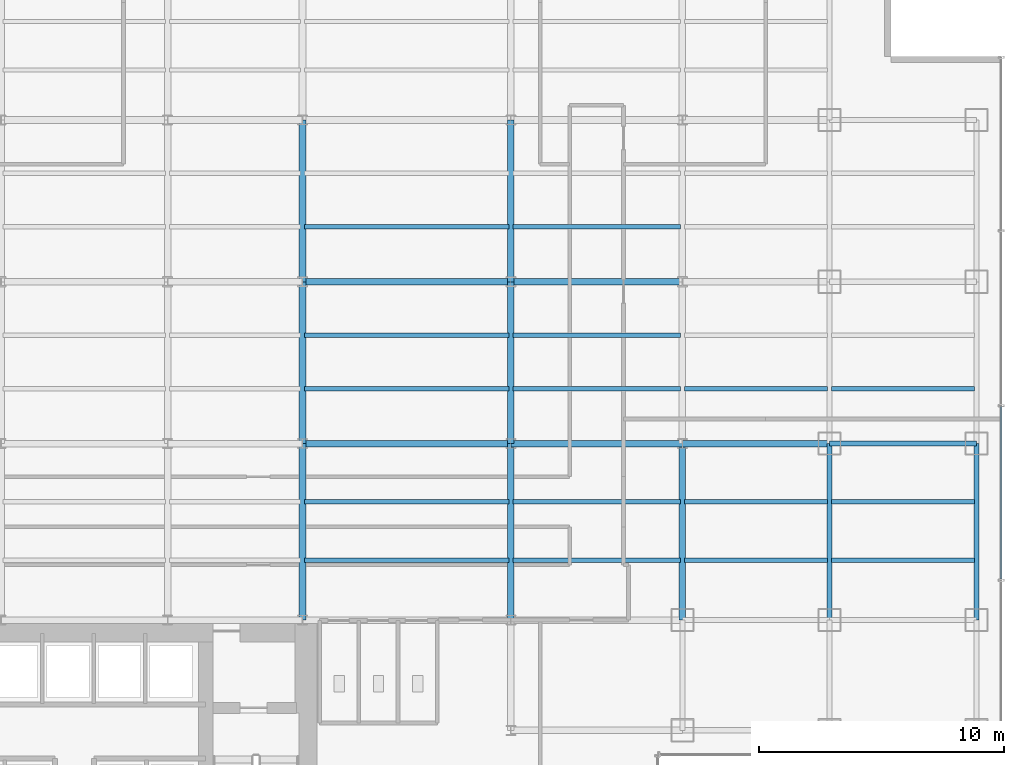
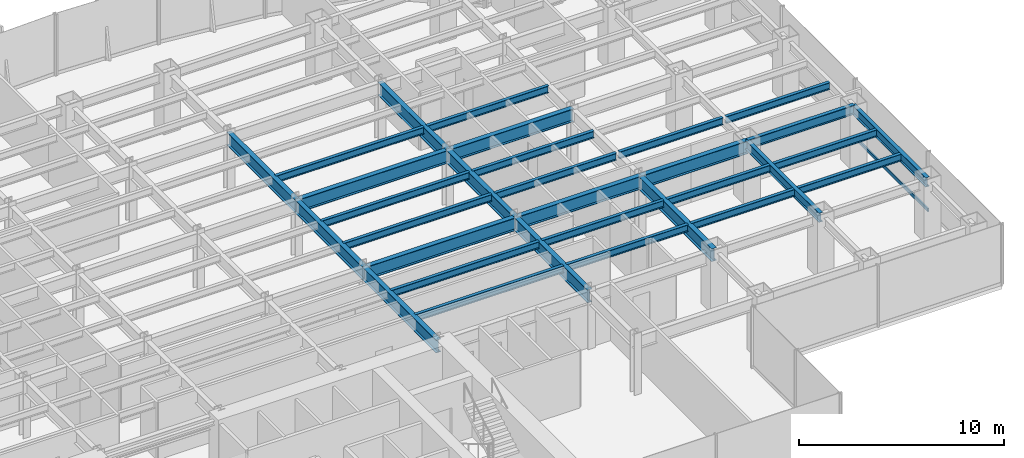
# One storey, part 8 of 22: 31 beams, 1 member, 1 element without a shape of its own.
"""IFC4 building model written with IfcOpenShell, lengths in metres."""

from ifc_helpers import new_model, si_unit, derived_unit, direction, frame, origin, origin_2d, place, context, subcontext, project, spatial, hollow_rectangle, i_section, extrude, source, transform, mapped, material, material_profile, profile_set, type_object, element, aggregate, save


model = new_model("IFC4")

# Units and contexts
model_context = context("Model", 3, precision=1e-05, world=origin(), true_north=direction((0.0, 1.0)))
body_context = subcontext(model_context, "Body", "Model", "MODEL_VIEW")
ifc_project = project(units=[si_unit("LENGTHUNIT", "METRE"), si_unit("AREAUNIT", "SQUARE_METRE"), si_unit("VOLUMEUNIT", "CUBIC_METRE"), si_unit("PLANEANGLEUNIT", "RADIAN"), si_unit("MASSUNIT", "GRAM", prefix="KILO"), derived_unit("THERMALTRANSMITTANCEUNIT", [(si_unit("POWERUNIT", "WATT"), 1), (si_unit("LENGTHUNIT", "METRE"), -2), (si_unit("THERMODYNAMICTEMPERATUREUNIT", "KELVIN"), -1)])], contexts=[model_context])

# Site, building, storey
site_placement = place(None, origin())
site = spatial("IfcSite", under=ifc_project, at=site_placement, CompositionType="ELEMENT")
building_placement = place(site_placement, origin())
building = spatial("IfcBuilding", under=site, at=building_placement, Name="Skarnbrae Concourse Arena and Tower", CompositionType="ELEMENT")
storey_placement = place(building_placement, frame((0.0, 0.0, 76.300048828125)))
storey = spatial("IfcBuildingStorey", under=building, at=storey_placement, Name="L18", CompositionType="ELEMENT", Elevation=76.300048828125)

# Beams
ifc_material_1 = material(Name="Steel CSA G40.21 350W", Category="steel")
ifc_material_profile_1 = material_profile(ifc_material_1, i_section(OverallWidth=0.26806640625, OverallDepth=0.77001953125, WebThickness=0.015625, FlangeThickness=0.025390625, at=origin_2d()), Name="W760X196")
ifc_profile_set_1 = profile_set([ifc_material_profile_1], Name="Steel CSA G40.21 350W")
beam_type_1 = type_object("IfcBeamType", Name="BM-GIRD-W760X196", PredefinedType="BEAM", material=ifc_profile_set_1)
shared_shape_1 = source(origin(), body_context, "Body", "SweptSolid", [
    extrude(i_section(OverallWidth=0.26806640625, OverallDepth=0.77001953125, WebThickness=0.015625, FlangeThickness=0.025390625, at=origin_2d()), origin(), (0.0, 0.0, 1.0), 7.0),
])
for number, where, z_axis, x_axis, name in (
    (1, (42.0, 21.199951171875, 3.014892578125), (1.0, 0.0, 0.0), (0.0, 1.0, 0.0), "L18 Primary E-W girder Y21.2-7"),
    (2, (42.0, 27.800048828125, 3.014892578125), (1.0, 0.0, 0.0), (0.0, 1.0, 0.0), "L18 Primary E-W girder Y27.8-7"),
):
    element("IfcBeam", number, at=place(storey_placement, frame(where, z_axis=z_axis, x_axis=x_axis)), inside=storey, type_object=beam_type_1, Name=name, PredefinedType="BEAM", context=body_context, shape_type="MappedRepresentation", body=[
        mapped(shared_shape_1, transform((0.0, 0.0, 0.0))),
    ])
ifc_material_profile_2 = material_profile(ifc_material_1, i_section(OverallWidth=0.214111328125, OverallDepth=0.549072265625, WebThickness=0.0146484375, FlangeThickness=0.023681640625, at=origin_2d()), Name="W530X138")
ifc_profile_set_2 = profile_set([ifc_material_profile_2], Name="Steel CSA G40.21 350W")
beam_type_2 = type_object("IfcBeamType", Name="BM-SPAN-W530X138", PredefinedType="SPANDREL", material=ifc_profile_set_2)
shared_shape_2 = source(origin(), body_context, "Body", "SweptSolid", [
    extrude(i_section(OverallWidth=0.214111328125, OverallDepth=0.549072265625, WebThickness=0.0146484375, FlangeThickness=0.023681640625, at=origin_2d()), origin(), (0.0, 0.0, 1.0), 6.0),
])
beam_1_placement = place(storey_placement, frame((55.0, 21.199951171875, 3.12548828125), z_axis=(1.0, 0.0, 0.0), x_axis=(0.0, 1.0, 0.0)))
element("IfcBeam", 3, at=beam_1_placement, inside=storey, type_object=beam_type_2, Name="L18 Perimeter spandrel Y21.2-9", PredefinedType="SPANDREL", context=body_context, shape_type="MappedRepresentation", body=[
    mapped(shared_shape_2, transform((0.0, 0.0, 0.0))),
])
shared_shape_3 = source(origin(), body_context, "Body", "SweptSolid", [
    extrude(i_section(OverallWidth=0.26806640625, OverallDepth=0.77001953125, WebThickness=0.015625, FlangeThickness=0.025390625, at=origin_2d()), origin(), (0.0, 0.0, 1.0), 6.60009765625),
])
for number, where, z_axis, x_axis, name in (
    (4, (33.5, 21.199951171875, 3.014892578125), (0.0, 1.0, 0.0), (-1.0, 0.0, 0.0), "L18 Primary N-S girder X33.5-2"),
    (5, (42.0, 21.199951171875, 3.014892578125), (0.0, 1.0, 0.0), (-1.0, 0.0, 0.0), "L18 Primary N-S girder X42.0-3"),
):
    element("IfcBeam", number, at=place(storey_placement, frame(where, z_axis=z_axis, x_axis=x_axis)), inside=storey, type_object=beam_type_1, Name=name, PredefinedType="BEAM", context=body_context, shape_type="MappedRepresentation", body=[
        mapped(shared_shape_3, transform((0.0, 0.0, 0.0))),
    ])
shared_shape_4 = source(origin(), body_context, "Body", "SweptSolid", [
    extrude(i_section(OverallWidth=0.26806640625, OverallDepth=0.77001953125, WebThickness=0.015625, FlangeThickness=0.025390625, at=origin_2d()), origin(), (0.0, 0.0, 1.0), 8.5),
])
for number, where, z_axis, x_axis, name in (
    (6, (33.5, 21.199951171875, 3.014892578125), (1.0, 0.0, 0.0), (0.0, 1.0, 0.0), "L18 Primary E-W girder Y21.2-6"),
    (7, (33.5, 27.800048828125, 3.014892578125), (1.0, 0.0, 0.0), (0.0, 1.0, 0.0), "L18 Primary E-W girder Y27.8-6"),
):
    element("IfcBeam", number, at=place(storey_placement, frame(where, z_axis=z_axis, x_axis=x_axis)), inside=storey, type_object=beam_type_1, Name=name, PredefinedType="BEAM", context=body_context, shape_type="MappedRepresentation", body=[
        mapped(shared_shape_4, transform((0.0, 0.0, 0.0))),
    ])
shared_shape_5 = source(origin(), body_context, "Body", "SweptSolid", [
    extrude(i_section(OverallWidth=0.26806640625, OverallDepth=0.77001953125, WebThickness=0.015625, FlangeThickness=0.025390625, at=origin_2d()), origin(), (0.0, 0.0, 1.0), 6.0),
])
beam_2_placement = place(storey_placement, frame((49.0, 21.199951171875, 3.014892578125), z_axis=(1.0, 0.0, 0.0), x_axis=(0.0, 1.0, 0.0)))
element("IfcBeam", 8, at=beam_2_placement, inside=storey, type_object=beam_type_1, Name="L18 Primary E-W girder Y21.2-8", PredefinedType="BEAM", context=body_context, shape_type="MappedRepresentation", body=[
    mapped(shared_shape_5, transform((0.0, 0.0, 0.0))),
])
shared_shape_6 = source(origin(), body_context, "Body", "SweptSolid", [
    extrude(i_section(OverallWidth=0.214111328125, OverallDepth=0.549072265625, WebThickness=0.0146484375, FlangeThickness=0.023681640625, at=origin_2d()), origin(), (0.0, 0.0, 1.0), 7.199951171875),
])
for number, where, z_axis, x_axis, name in (
    (9, (55.0, 14.0, 3.12548828125), (0.0, 1.0, 0.0), (-1.0, 0.0, 0.0), "L18 Perimeter spandrel X55.0-2"),
    (10, (61.0, 14.0, 3.12548828125), (0.0, 1.0, 0.0), (-1.0, 0.0, 0.0), "L18 Perimeter spandrel X61.0-2"),
):
    element("IfcBeam", number, at=place(storey_placement, frame(where, z_axis=z_axis, x_axis=x_axis)), inside=storey, type_object=beam_type_2, Name=name, PredefinedType="SPANDREL", context=body_context, shape_type="MappedRepresentation", body=[
        mapped(shared_shape_6, transform((0.0, 0.0, 0.0))),
    ])
shared_shape_7 = source(origin(), body_context, "Body", "SweptSolid", [
    extrude(i_section(OverallWidth=0.26806640625, OverallDepth=0.77001953125, WebThickness=0.015625, FlangeThickness=0.025390625, at=origin_2d()), origin(), (0.0, 0.0, 1.0), 7.199951171875),
])
for number, where, z_axis, x_axis, name in (
    (11, (33.5, 14.0, 3.014892578125), (0.0, 1.0, 0.0), (-1.0, 0.0, 0.0), "L18 Primary N-S girder X33.5-1"),
    (12, (42.0, 14.0, 3.014892578125), (0.0, 1.0, 0.0), (-1.0, 0.0, 0.0), "L18 Primary N-S girder X42.0-2"),
    (13, (49.0, 14.0, 3.014892578125), (0.0, 1.0, 0.0), (-1.0, 0.0, 0.0), "L18 Primary N-S girder X49.0-2"),
):
    element("IfcBeam", number, at=place(storey_placement, frame(where, z_axis=z_axis, x_axis=x_axis)), inside=storey, type_object=beam_type_1, Name=name, PredefinedType="BEAM", context=body_context, shape_type="MappedRepresentation", body=[
        mapped(shared_shape_7, transform((0.0, 0.0, 0.0))),
    ])
shared_shape_8 = source(origin(), body_context, "Body", "SweptSolid", [
    extrude(i_section(OverallWidth=0.26806640625, OverallDepth=0.77001953125, WebThickness=0.015625, FlangeThickness=0.025390625, at=origin_2d()), origin(), (0.0, 0.0, 1.0), 6.599853515625),
])
for number, where, z_axis, x_axis, name in (
    (14, (33.5, 27.800048828125, 3.014892578125), (0.0, 1.0, 0.0), (-1.0, 0.0, 0.0), "L18 Primary N-S girder X33.5-3"),
    (15, (42.0, 27.800048828125, 3.014892578125), (0.0, 1.0, 0.0), (-1.0, 0.0, 0.0), "L18 Primary N-S girder X42.0-4"),
):
    element("IfcBeam", number, at=place(storey_placement, frame(where, z_axis=z_axis, x_axis=x_axis)), inside=storey, type_object=beam_type_1, Name=name, PredefinedType="BEAM", context=body_context, shape_type="MappedRepresentation", body=[
        mapped(shared_shape_8, transform((0.0, 0.0, 0.0))),
    ])
ifc_material_profile_3 = material_profile(ifc_material_1, i_section(OverallWidth=0.180908203125, OverallDepth=0.4169921875, WebThickness=0.010986328125, FlangeThickness=0.018310546875, at=origin_2d()), Name="W410X85")
ifc_profile_set_3 = profile_set([ifc_material_profile_3], Name="Steel CSA G40.21 350W")
beam_type_3 = type_object("IfcBeamType", Name="BM-JOIST-W410X85", PredefinedType="JOIST", material=ifc_profile_set_3)
shared_shape_9 = source(origin(), body_context, "Body", "SweptSolid", [
    extrude(i_section(OverallWidth=0.180908203125, OverallDepth=0.4169921875, WebThickness=0.010986328125, FlangeThickness=0.018310546875, at=origin_2d()), origin(), (0.0, 0.0, 1.0), 8.33984375),
])
for number, where, z_axis, x_axis, name in (
    (16, (33.580078125, 16.447998046875, 3.19140625), (1.0, 0.0, 0.0), (0.0, 1.0, 0.0), "L18 Secondary floor joist 1.1.6"),
    (17, (33.580078125, 18.823974609375, 3.19140625), (1.0, 0.0, 0.0), (0.0, 1.0, 0.0), "L18 Secondary floor joist 1.2.6"),
    (18, (33.580078125, 23.444091796875, 3.19140625), (1.0, 0.0, 0.0), (0.0, 1.0, 0.0), "L18 Secondary floor joist 2.1.6"),
    (19, (33.580078125, 25.6220703125, 3.19140625), (1.0, 0.0, 0.0), (0.0, 1.0, 0.0), "L18 Secondary floor joist 2.2.6"),
    (20, (33.580078125, 30.0439453125, 3.19140625), (1.0, 0.0, 0.0), (0.0, 1.0, 0.0), "L18 Secondary floor joist 3.1.6"),
):
    element("IfcBeam", number, at=place(storey_placement, frame(where, z_axis=z_axis, x_axis=x_axis)), inside=storey, type_object=beam_type_3, Name=name, PredefinedType="JOIST", context=body_context, shape_type="MappedRepresentation", body=[
        mapped(shared_shape_9, transform((0.0, 0.0, 0.0))),
    ])
shared_shape_10 = source(origin(), body_context, "Body", "SweptSolid", [
    extrude(i_section(OverallWidth=0.180908203125, OverallDepth=0.4169921875, WebThickness=0.010986328125, FlangeThickness=0.018310546875, at=origin_2d()), origin(), (0.0, 0.0, 1.0), 6.83984375),
])
for number, where, z_axis, x_axis, name in (
    (21, (42.080078125, 16.447998046875, 3.19140625), (1.0, 0.0, 0.0), (0.0, 1.0, 0.0), "L18 Secondary floor joist 1.1.7"),
    (22, (42.080078125, 18.823974609375, 3.19140625), (1.0, 0.0, 0.0), (0.0, 1.0, 0.0), "L18 Secondary floor joist 1.2.7"),
    (23, (42.080078125, 23.444091796875, 3.19140625), (1.0, 0.0, 0.0), (0.0, 1.0, 0.0), "L18 Secondary floor joist 2.1.7"),
    (24, (42.080078125, 25.6220703125, 3.19140625), (1.0, 0.0, 0.0), (0.0, 1.0, 0.0), "L18 Secondary floor joist 2.2.7"),
    (25, (42.080078125, 30.0439453125, 3.19140625), (1.0, 0.0, 0.0), (0.0, 1.0, 0.0), "L18 Secondary floor joist 3.1.7"),
):
    element("IfcBeam", number, at=place(storey_placement, frame(where, z_axis=z_axis, x_axis=x_axis)), inside=storey, type_object=beam_type_3, Name=name, PredefinedType="JOIST", context=body_context, shape_type="MappedRepresentation", body=[
        mapped(shared_shape_10, transform((0.0, 0.0, 0.0))),
    ])
shared_shape_11 = source(origin(), body_context, "Body", "SweptSolid", [
    extrude(i_section(OverallWidth=0.180908203125, OverallDepth=0.4169921875, WebThickness=0.010986328125, FlangeThickness=0.018310546875, at=origin_2d()), origin(), (0.0, 0.0, 1.0), 5.83984375),
])
for number, where, z_axis, x_axis, name in (
    (26, (49.080078125, 16.447998046875, 3.19140625), (1.0, 0.0, 0.0), (0.0, 1.0, 0.0), "L18 Secondary floor joist 1.1.8"),
    (27, (55.080078125, 16.447998046875, 3.19140625), (1.0, 0.0, 0.0), (0.0, 1.0, 0.0), "L18 Secondary floor joist 1.1.9"),
    (28, (49.080078125, 18.823974609375, 3.19140625), (1.0, 0.0, 0.0), (0.0, 1.0, 0.0), "L18 Secondary floor joist 1.2.8"),
    (29, (55.080078125, 18.823974609375, 3.19140625), (1.0, 0.0, 0.0), (0.0, 1.0, 0.0), "L18 Secondary floor joist 1.2.9"),
    (30, (49.080078125, 23.444091796875, 3.19140625), (1.0, 0.0, 0.0), (0.0, 1.0, 0.0), "L18 Secondary floor joist 2.1.8"),
    (31, (55.080078125, 23.444091796875, 3.19140625), (1.0, 0.0, 0.0), (0.0, 1.0, 0.0), "L18 Secondary floor joist 2.1.9"),
):
    element("IfcBeam", number, at=place(storey_placement, frame(where, z_axis=z_axis, x_axis=x_axis)), inside=storey, type_object=beam_type_3, Name=name, PredefinedType="JOIST", context=body_context, shape_type="MappedRepresentation", body=[
        mapped(shared_shape_11, transform((0.0, 0.0, 0.0))),
    ])

# Curtain wall, member
ifc_material_2 = material(Name="Bronze anodised aluminium 6063-T6", Category="aluminium")
curtain_wall_type = type_object("IfcCurtainWallType", Name="CW-SYS-02-LOWZONE", PredefinedType="USERDEFINED", material=ifc_material_2)
curtain_wall_placement = place(storey_placement, origin())
curtain_wall = element("IfcCurtainWall", 32, at=curtain_wall_placement, inside=storey, type_object=curtain_wall_type, Name="L18 Unitised curtain wall CW-L18-E04", ObjectType="UNITISED CURTAIN WALL", PredefinedType="USERDEFINED")
ifc_material_profile_4 = material_profile(ifc_material_2, hollow_rectangle(XDim=0.080078125, YDim=0.18994140625, WallThickness=0.0048828125, at=origin_2d()), Name="ALU-TRAN-80X190")
ifc_profile_set_4 = profile_set([ifc_material_profile_4], Name="Bronze anodised aluminium 6063-T6")
member_type = type_object("IfcMemberType", Name="CWT-CW-02", PredefinedType="USERDEFINED", material=ifc_profile_set_4)
shared_shape_12 = source(origin(), body_context, "Body", "SweptSolid", [
    extrude(hollow_rectangle(XDim=0.080078125, YDim=0.18994140625, WallThickness=0.0048828125, at=origin_2d()), origin(), (0.0, 0.0, 1.0), 7.044921875),
])
member_placement = place(storey_placement, frame((62.0, 15.6650390625, 0.094970703125), z_axis=(0.0, 1.0, 0.0), x_axis=(-1.0, 0.0, 0.0)))
member = element("IfcMember", 33, at=member_placement, type_object=member_type, Name="CW-L18-E04 Transom 2", ObjectType="TRANSOM", PredefinedType="USERDEFINED", context=body_context, shape_type="MappedRepresentation", body=[
    mapped(shared_shape_12, transform((0.0, 0.0, 0.0))),
])
aggregate(curtain_wall, [member])

save(model, "model.ifc")
